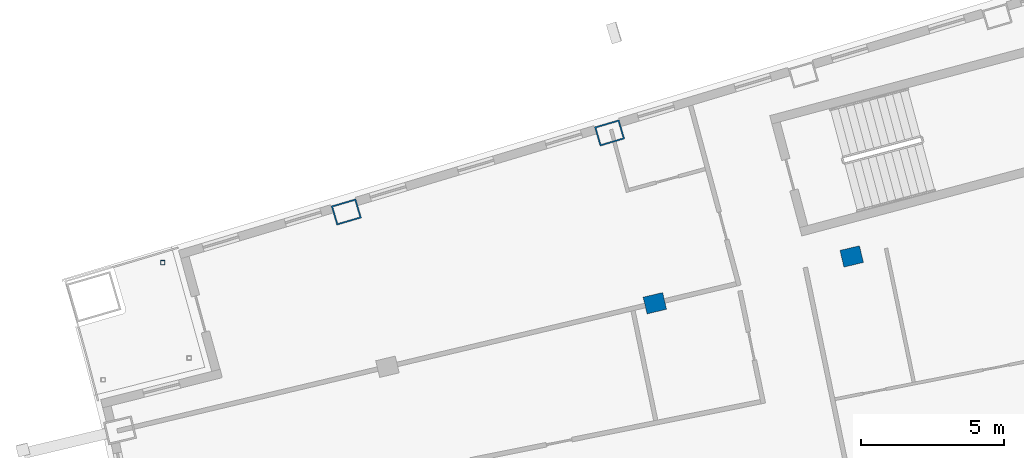
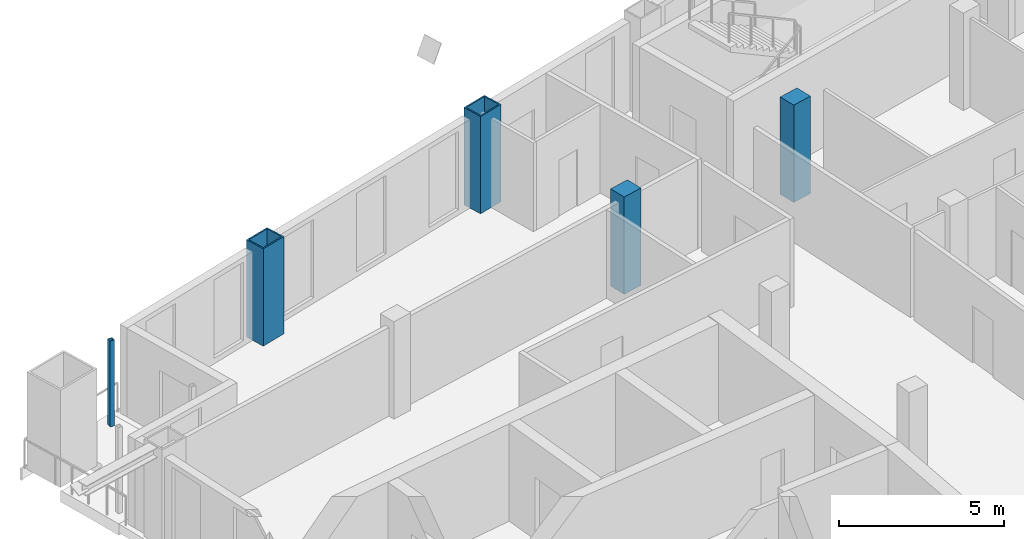
# One storey, part 5 of 15: 5 columns.
"""IFC4 building model written with IfcOpenShell, lengths in metres."""

from ifc_helpers import new_model, si_unit, direction, frame, origin, origin_2d, place, context, subcontext, project, spatial, rectangle, hollow_rectangle, extrude, material, material_profile, profile_set, type_object, element, save


model = new_model("IFC4")

# Units and contexts
model_context = context("Model", 3, precision=1e-05, world=origin(), true_north=direction((0.0, 1.0)))
body_context = subcontext(model_context, "Body", "Model", "MODEL_VIEW")
ifc_project = project(units=[si_unit("LENGTHUNIT", "METRE"), si_unit("AREAUNIT", "SQUARE_METRE"), si_unit("VOLUMEUNIT", "CUBIC_METRE"), si_unit("PLANEANGLEUNIT", "RADIAN"), si_unit("MASSUNIT", "GRAM", prefix="KILO")], contexts=[model_context])

# Site, building, storey
site_placement = place(None, origin())
site = spatial("IfcSite", under=ifc_project, at=site_placement, CompositionType="ELEMENT")
building_placement = place(site_placement, origin())
building = spatial("IfcBuilding", under=site, at=building_placement, Name="Alderwake Tower", CompositionType="ELEMENT")
storey_placement = place(building_placement, frame((0.0, 0.0, 252.800048828125)))
storey = spatial("IfcBuildingStorey", under=building, at=storey_placement, Name="L62", CompositionType="ELEMENT", Elevation=252.800048828125)

# Columns
ifc_material_1 = material(Name="Steel ASTM A572 Grade 50 concrete filled C70/85", Category="concrete")
ifc_material_profile_1 = material_profile(ifc_material_1, hollow_rectangle(XDim=0.699951171875, YDim=0.89990234375, WallThickness=0.050048828125, at=origin_2d()), Name="BOX 900X700X50")
ifc_profile_set_1 = profile_set([ifc_material_profile_1], Name="Steel ASTM A572 Grade 50 concrete filled C70/85")
column_type_1 = type_object("IfcColumnType", Name="End column Z5", PredefinedType="COLUMN", material=ifc_profile_set_1)
for number, where, z_axis, x_axis, name in (
    (1, (21.885498046875, 90.96240234375, 0.0), (0.0, 0.0, 1.0), (-0.282132160283, 0.95937554906, 0.0), "Column R12-C1"),
    (2, (31.080322265625, 93.72314453125, 0.0), (0.0, 0.0, 1.0), (-0.282582549822, 0.959242984095, 0.0), "Column R12-C2"),
):
    element("IfcColumn", number, at=place(storey_placement, frame(where, z_axis=z_axis, x_axis=x_axis)), inside=storey, type_object=column_type_1, Name=name, PredefinedType="COLUMN", context=body_context, shape_type="SweptSolid", body=[
        extrude(hollow_rectangle(XDim=0.699951171875, YDim=0.89990234375, WallThickness=0.050048828125, at=origin_2d()), origin(), (0.0, 0.0, 1.0), 3.599853515625),
    ])
ifc_material_2 = material(Name="Concrete C70/85", Category="concrete")
ifc_material_profile_2 = material_profile(ifc_material_2, rectangle(XDim=0.60009765625, YDim=0.699951171875, at=origin_2d()), Name="RC 700X600")
ifc_profile_set_2 = profile_set([ifc_material_profile_2], Name="Concrete C70/85")
column_type_2 = type_object("IfcColumnType", Name="Interior column Z5", PredefinedType="COLUMN", material=ifc_profile_set_2)
for number, where, z_axis, x_axis, name in (
    (3, (32.661865234375, 87.775390625, 0.0), (0.0, 0.0, 1.0), (-0.231221547198, 0.972901123502, 0.0), "Column R11-C2"),
    (4, (39.537109375, 89.409423828125, 0.0), (0.0, 0.0, 1.0), (-0.231221547198, 0.972901123502, 0.0), "Column R11-C3"),
):
    element("IfcColumn", number, at=place(storey_placement, frame(where, z_axis=z_axis, x_axis=x_axis)), inside=storey, type_object=column_type_2, Name=name, PredefinedType="COLUMN", context=body_context, shape_type="SweptSolid", body=[
        extrude(rectangle(XDim=0.60009765625, YDim=0.699951171875, at=origin_2d()), origin(), (0.0, 0.0, 1.0), 3.599853515625),
    ])
ifc_material_3 = material(Name="Steel ASTM A500 Grade C", Category="steel")
ifc_material_profile_3 = material_profile(ifc_material_3, hollow_rectangle(XDim=0.15234375, YDim=0.15234375, WallThickness=0.0087890625, at=origin_2d()), Name="HSS6X6X3/8")
ifc_profile_set_3 = profile_set([ifc_material_profile_3], Name="Steel ASTM A500 Grade C")
column_type_3 = type_object("IfcColumnType", Name="Light post HSS6X6X3/8", PredefinedType="COLUMN", material=ifc_profile_set_3)
column_placement = place(storey_placement, frame((15.47412109375, 89.194091796875, 0.0), z_axis=(0.0, 0.0, 1.0), x_axis=(1.0, 0.0, 0.0)))
element("IfcColumn", 5, at=column_placement, inside=storey, type_object=column_type_3, Name="Terrace post RN2", PredefinedType="COLUMN", context=body_context, shape_type="SweptSolid", body=[
    extrude(hollow_rectangle(XDim=0.15234375, YDim=0.15234375, WallThickness=0.0087890625, at=origin_2d()), origin(), (0.0, 0.0, 1.0), 3.179931640625),
])

save(model, "model.ifc")
